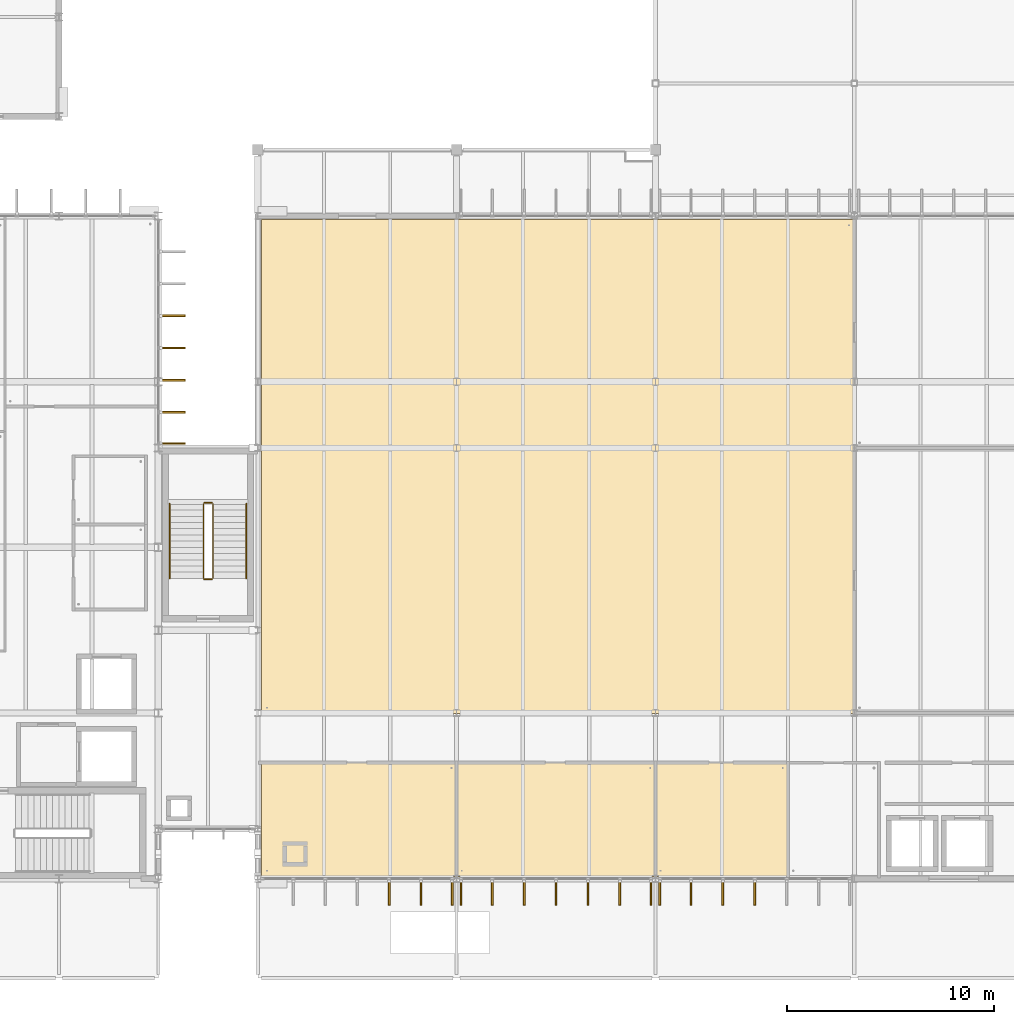
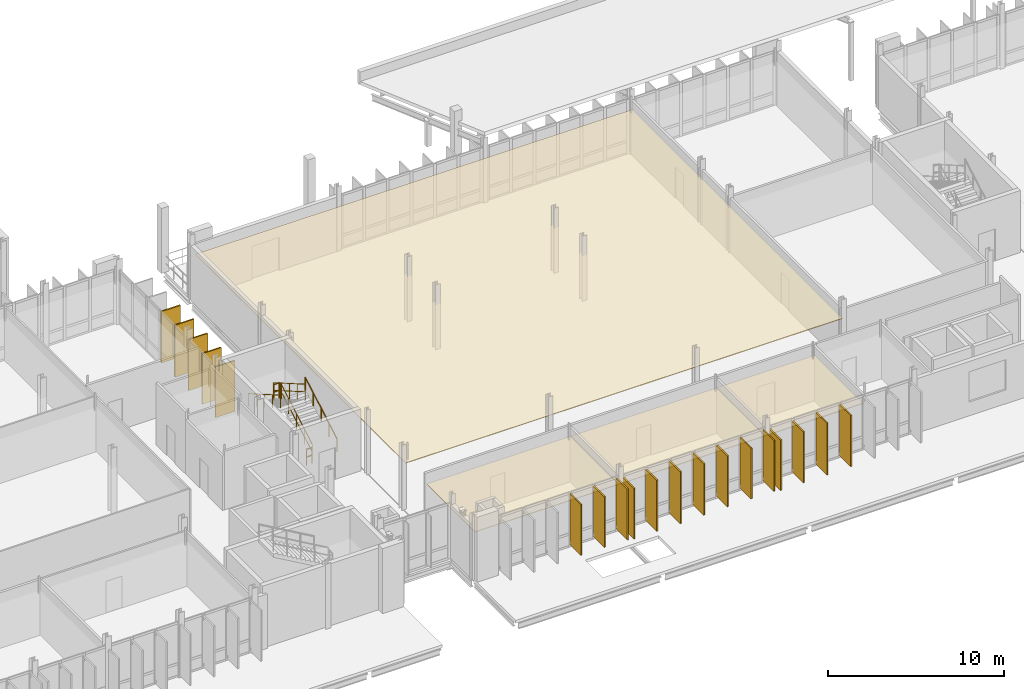
# One storey, part 99 of 107: 23 coverings, 6 railings.
"""IFC4 building model written with IfcOpenShell, lengths in metres."""

from ifc_helpers import new_model, si_unit, direction, frame, origin, origin_2d, place, context, subcontext, project, spatial, polyline, rectangle, circle, outline, extrude, material, layer, layer_set, type_object, element, save


model = new_model("IFC4")

# Units and contexts
model_context = context("Model", 3, precision=1e-05, world=origin(), true_north=direction((0.0, 1.0)))
body_context = subcontext(model_context, "Body", "Model", "MODEL_VIEW")
ifc_project = project(units=[si_unit("LENGTHUNIT", "METRE"), si_unit("AREAUNIT", "SQUARE_METRE"), si_unit("VOLUMEUNIT", "CUBIC_METRE"), si_unit("PLANEANGLEUNIT", "RADIAN"), si_unit("MASSUNIT", "GRAM", prefix="KILO")], contexts=[model_context])

# Site, building, storey
site_placement = place(None, origin())
site = spatial("IfcSite", under=ifc_project, at=site_placement, CompositionType="ELEMENT")
building_placement = place(site_placement, origin())
building = spatial("IfcBuilding", under=site, at=building_placement, Name="Dunescarp Central Library", CompositionType="ELEMENT")
storey_placement = place(building_placement, frame((0.0, 0.0, 5.10009765625)))
storey = spatial("IfcBuildingStorey", under=building, at=storey_placement, Name="L01", CompositionType="ELEMENT", Elevation=5.10009765625)

# Coverings
ifc_material_1 = material(Name="Perforated birch acoustic timber baffle", Category="wood")
ifc_layer_1 = layer(ifc_material_1, 0.050048828125)
ifc_layer_set_1 = layer_set([ifc_layer_1], Name="Perforated birch acoustic timber baffle")
covering_type_1 = type_object("IfcCoveringType", Name="ARC-COV-BAFFLE", PredefinedType="CEILING", material=ifc_layer_set_1)
covering_1_placement = place(storey_placement, frame((0.0, 0.0, 3.0498046875)))
element("IfcCovering", 1, at=covering_1_placement, inside=storey, type_object=covering_type_1, Name="L01 ceiling L01 Periodical Reading Alcove", PredefinedType="CEILING", context=body_context, shape_type="SweptSolid", body=[
    extrude(outline(polyline([(57.580078125, 4.919921875), (64.02001953125, 4.919921875), (64.02001953125, 10.419921875), (57.580078125, 10.419921875), (57.580078125, 4.919921875)])), origin(), (0.0, 0.0, 1.0), 0.050048828125),
])
covering_2_placement = place(storey_placement, frame((0.0, 0.0, 3.0498046875)))
element("IfcCovering", 2, at=covering_2_placement, inside=storey, type_object=covering_type_1, Name="L01 ceiling Atrium Floor Reading Court", PredefinedType="CEILING", context=body_context, shape_type="SweptSolid", body=[
    extrude(outline(polyline([(38.580078125, 12.780029296875), (67.219970703125, 12.780029296875), (67.219970703125, 36.6201171875), (38.580078125, 36.6201171875), (38.580078125, 12.780029296875)])), origin(), (0.0, 0.0, 1.0), 0.050048828125),
])
ifc_material_2 = material(Name="Mineral-fibre acoustic ceiling tile")
ifc_layer_2 = layer(ifc_material_2, 0.0400390625)
ifc_layer_set_2 = layer_set([ifc_layer_2], Name="Mineral-fibre acoustic ceiling tile")
covering_type_2 = type_object("IfcCoveringType", Name="ARC-COV-CEIL40", PredefinedType="CEILING", material=ifc_layer_set_2)
covering_3_placement = place(storey_placement, frame((0.0, 0.0, 3.0498046875)))
element("IfcCovering", 3, at=covering_3_placement, inside=storey, type_object=covering_type_2, Name="L01 ceiling L01 Group Study Room A", PredefinedType="CEILING", context=body_context, shape_type="SweptSolid", body=[
    extrude(outline(polyline([(38.580078125, 4.919921875), (48.02001953125, 4.919921875), (48.02001953125, 10.419921875), (38.580078125, 10.419921875), (38.580078125, 4.919921875)])), origin(), (0.0, 0.0, 1.0), 0.0400390625),
])
covering_4_placement = place(storey_placement, frame((0.0, 0.0, 3.0498046875)))
element("IfcCovering", 4, at=covering_4_placement, inside=storey, type_object=covering_type_2, Name="L01 ceiling L01 Group Study Room B", PredefinedType="CEILING", context=body_context, shape_type="SweptSolid", body=[
    extrude(outline(polyline([(47.97998046875, 4.919921875), (57.6201171875, 4.919921875), (57.6201171875, 10.419921875), (47.97998046875, 10.419921875), (47.97998046875, 4.919921875)])), origin(), (0.0, 0.0, 1.0), 0.0400390625),
])
ifc_material_3 = material(Name="Glass-fibre reinforced concrete GRC", Category="concrete")
ifc_layer_3 = layer(ifc_material_3, 0.090087890625)
ifc_layer_set_3 = layer_set([ifc_layer_3], Name="Glass-fibre reinforced concrete GRC")
covering_type_3 = type_object("IfcCoveringType", Name="ARC-COV-FIN1250", PredefinedType="CLADDING", material=ifc_layer_set_3)
covering_5_placement = place(storey_placement, frame((34.261962890625, 31.97509765625, 0.122802734375), z_axis=(0.0, 0.0, 1.0), x_axis=(1.0, 0.0, 0.0)))
element("IfcCovering", 5, at=covering_5_placement, inside=storey, type_object=covering_type_3, Name="L01 parametric vertical facade fin FIN-L01-0072", PredefinedType="CLADDING", context=body_context, shape_type="SweptSolid", body=[
    extrude(rectangle(XDim=1.25, YDim=0.090087890625, at=origin_2d()), origin(), (0.0, 0.0, 1.0), 3.56201171875),
])
covering_6_placement = place(storey_placement, frame((34.261962890625, 30.425048828125, 0.080078125), z_axis=(0.0, 0.0, 1.0), x_axis=(1.0, 0.0, 0.0)))
element("IfcCovering", 6, at=covering_6_placement, inside=storey, type_object=covering_type_3, Name="L01 parametric vertical facade fin FIN-L01-0073", PredefinedType="CLADDING", context=body_context, shape_type="SweptSolid", body=[
    extrude(rectangle(XDim=1.25, YDim=0.090087890625, at=origin_2d()), origin(), (0.0, 0.0, 1.0), 3.593994140625),
])
covering_7_placement = place(storey_placement, frame((34.261962890625, 28.875, 0.079833984375), z_axis=(0.0, 0.0, 1.0), x_axis=(1.0, 0.0, 0.0)))
element("IfcCovering", 7, at=covering_7_placement, inside=storey, type_object=covering_type_3, Name="L01 parametric vertical facade fin FIN-L01-0074", PredefinedType="CLADDING", context=body_context, shape_type="SweptSolid", body=[
    extrude(rectangle(XDim=1.25, YDim=0.090087890625, at=origin_2d()), origin(), (0.0, 0.0, 1.0), 3.5439453125),
])
covering_8_placement = place(storey_placement, frame((34.261962890625, 27.324951171875, 0.08056640625), z_axis=(0.0, 0.0, 1.0), x_axis=(1.0, 0.0, 0.0)))
element("IfcCovering", 8, at=covering_8_placement, inside=storey, type_object=covering_type_3, Name="L01 parametric vertical facade fin FIN-L01-0075", PredefinedType="CLADDING", context=body_context, shape_type="SweptSolid", body=[
    extrude(rectangle(XDim=1.25, YDim=0.090087890625, at=origin_2d()), origin(), (0.0, 0.0, 1.0), 3.510986328125),
])
covering_9_placement = place(storey_placement, frame((34.261962890625, 25.81494140625, 0.07958984375), z_axis=(0.0, 0.0, 1.0), x_axis=(1.0, 0.0, 0.0)))
element("IfcCovering", 9, at=covering_9_placement, inside=storey, type_object=covering_type_3, Name="L01 parametric vertical facade fin FIN-L01-0076", PredefinedType="CLADDING", context=body_context, shape_type="SweptSolid", body=[
    extrude(rectangle(XDim=1.25, YDim=0.090087890625, at=origin_2d()), origin(), (0.0, 0.0, 1.0), 3.507080078125),
])
covering_10_placement = place(storey_placement, frame((47.784912109375, 4.137939453125, 0.166748046875), z_axis=(0.0, 0.0, 1.0), x_axis=(0.0, -1.0, 0.0)))
element("IfcCovering", 10, at=covering_10_placement, inside=storey, type_object=covering_type_3, Name="L01 parametric vertical facade fin FIN-L01-0338", PredefinedType="CLADDING", context=body_context, shape_type="SweptSolid", body=[
    extrude(rectangle(XDim=1.25, YDim=0.090087890625, at=origin_2d()), origin(), (0.0, 0.0, 1.0), 3.51806640625),
])
covering_11_placement = place(storey_placement, frame((46.282958984375, 4.137939453125, 0.180419921875), z_axis=(0.0, 0.0, 1.0), x_axis=(0.0, -1.0, 0.0)))
element("IfcCovering", 11, at=covering_11_placement, inside=storey, type_object=covering_type_3, Name="L01 parametric vertical facade fin FIN-L01-0339", PredefinedType="CLADDING", context=body_context, shape_type="SweptSolid", body=[
    extrude(rectangle(XDim=1.25, YDim=0.090087890625, at=origin_2d()), origin(), (0.0, 0.0, 1.0), 3.5048828125),
])
covering_12_placement = place(storey_placement, frame((44.741943359375, 4.137939453125, 0.163330078125), z_axis=(0.0, 0.0, 1.0), x_axis=(0.0, -1.0, 0.0)))
element("IfcCovering", 12, at=covering_12_placement, inside=storey, type_object=covering_type_3, Name="L01 parametric vertical facade fin FIN-L01-0340", PredefinedType="CLADDING", context=body_context, shape_type="SweptSolid", body=[
    extrude(rectangle(XDim=1.25, YDim=0.090087890625, at=origin_2d()), origin(), (0.0, 0.0, 1.0), 3.52099609375),
])
covering_13_placement = place(storey_placement, frame((57.385009765625, 4.137939453125, 0.166748046875), z_axis=(0.0, 0.0, 1.0), x_axis=(0.0, -1.0, 0.0)))
element("IfcCovering", 13, at=covering_13_placement, inside=storey, type_object=covering_type_3, Name="L01 parametric vertical facade fin FIN-L01-0344", PredefinedType="CLADDING", context=body_context, shape_type="SweptSolid", body=[
    extrude(rectangle(XDim=1.25, YDim=0.090087890625, at=origin_2d()), origin(), (0.0, 0.0, 1.0), 3.51806640625),
])
covering_14_placement = place(storey_placement, frame((55.883056640625, 4.137939453125, 0.180419921875), z_axis=(0.0, 0.0, 1.0), x_axis=(0.0, -1.0, 0.0)))
element("IfcCovering", 14, at=covering_14_placement, inside=storey, type_object=covering_type_3, Name="L01 parametric vertical facade fin FIN-L01-0345", PredefinedType="CLADDING", context=body_context, shape_type="SweptSolid", body=[
    extrude(rectangle(XDim=1.25, YDim=0.090087890625, at=origin_2d()), origin(), (0.0, 0.0, 1.0), 3.5048828125),
])
covering_15_placement = place(storey_placement, frame((54.342041015625, 4.137939453125, 0.163330078125), z_axis=(0.0, 0.0, 1.0), x_axis=(0.0, -1.0, 0.0)))
element("IfcCovering", 15, at=covering_15_placement, inside=storey, type_object=covering_type_3, Name="L01 parametric vertical facade fin FIN-L01-0346", PredefinedType="CLADDING", context=body_context, shape_type="SweptSolid", body=[
    extrude(rectangle(XDim=1.25, YDim=0.090087890625, at=origin_2d()), origin(), (0.0, 0.0, 1.0), 3.52099609375),
])
covering_16_placement = place(storey_placement, frame((52.800048828125, 4.137939453125, 0.122802734375), z_axis=(0.0, 0.0, 1.0), x_axis=(0.0, -1.0, 0.0)))
element("IfcCovering", 16, at=covering_16_placement, inside=storey, type_object=covering_type_3, Name="L01 parametric vertical facade fin FIN-L01-0347", PredefinedType="CLADDING", context=body_context, shape_type="SweptSolid", body=[
    extrude(rectangle(XDim=1.25, YDim=0.090087890625, at=origin_2d()), origin(), (0.0, 0.0, 1.0), 3.56201171875),
])
covering_17_placement = place(storey_placement, frame((51.258056640625, 4.137939453125, 0.080078125), z_axis=(0.0, 0.0, 1.0), x_axis=(0.0, -1.0, 0.0)))
element("IfcCovering", 17, at=covering_17_placement, inside=storey, type_object=covering_type_3, Name="L01 parametric vertical facade fin FIN-L01-0348", PredefinedType="CLADDING", context=body_context, shape_type="SweptSolid", body=[
    extrude(rectangle(XDim=1.25, YDim=0.090087890625, at=origin_2d()), origin(), (0.0, 0.0, 1.0), 3.593994140625),
])
covering_18_placement = place(storey_placement, frame((49.717041015625, 4.137939453125, 0.079833984375), z_axis=(0.0, 0.0, 1.0), x_axis=(0.0, -1.0, 0.0)))
element("IfcCovering", 18, at=covering_18_placement, inside=storey, type_object=covering_type_3, Name="L01 parametric vertical facade fin FIN-L01-0349", PredefinedType="CLADDING", context=body_context, shape_type="SweptSolid", body=[
    extrude(rectangle(XDim=1.25, YDim=0.090087890625, at=origin_2d()), origin(), (0.0, 0.0, 1.0), 3.5439453125),
])
covering_19_placement = place(storey_placement, frame((48.215087890625, 4.137939453125, 0.08056640625), z_axis=(0.0, 0.0, 1.0), x_axis=(0.0, -1.0, 0.0)))
element("IfcCovering", 19, at=covering_19_placement, inside=storey, type_object=covering_type_3, Name="L01 parametric vertical facade fin FIN-L01-0350", PredefinedType="CLADDING", context=body_context, shape_type="SweptSolid", body=[
    extrude(rectangle(XDim=1.25, YDim=0.090087890625, at=origin_2d()), origin(), (0.0, 0.0, 1.0), 3.510986328125),
])
covering_20_placement = place(storey_placement, frame((62.39990234375, 4.137939453125, 0.122802734375), z_axis=(0.0, 0.0, 1.0), x_axis=(0.0, -1.0, 0.0)))
element("IfcCovering", 20, at=covering_20_placement, inside=storey, type_object=covering_type_3, Name="L01 parametric vertical facade fin FIN-L01-0354", PredefinedType="CLADDING", context=body_context, shape_type="SweptSolid", body=[
    extrude(rectangle(XDim=1.25, YDim=0.090087890625, at=origin_2d()), origin(), (0.0, 0.0, 1.0), 3.56201171875),
])
covering_21_placement = place(storey_placement, frame((60.85791015625, 4.137939453125, 0.080078125), z_axis=(0.0, 0.0, 1.0), x_axis=(0.0, -1.0, 0.0)))
element("IfcCovering", 21, at=covering_21_placement, inside=storey, type_object=covering_type_3, Name="L01 parametric vertical facade fin FIN-L01-0355", PredefinedType="CLADDING", context=body_context, shape_type="SweptSolid", body=[
    extrude(rectangle(XDim=1.25, YDim=0.090087890625, at=origin_2d()), origin(), (0.0, 0.0, 1.0), 3.593994140625),
])
covering_22_placement = place(storey_placement, frame((59.31689453125, 4.137939453125, 0.079833984375), z_axis=(0.0, 0.0, 1.0), x_axis=(0.0, -1.0, 0.0)))
element("IfcCovering", 22, at=covering_22_placement, inside=storey, type_object=covering_type_3, Name="L01 parametric vertical facade fin FIN-L01-0356", PredefinedType="CLADDING", context=body_context, shape_type="SweptSolid", body=[
    extrude(rectangle(XDim=1.25, YDim=0.090087890625, at=origin_2d()), origin(), (0.0, 0.0, 1.0), 3.5439453125),
])
covering_23_placement = place(storey_placement, frame((57.81494140625, 4.137939453125, 0.08056640625), z_axis=(0.0, 0.0, 1.0), x_axis=(0.0, -1.0, 0.0)))
element("IfcCovering", 23, at=covering_23_placement, inside=storey, type_object=covering_type_3, Name="L01 parametric vertical facade fin FIN-L01-0357", PredefinedType="CLADDING", context=body_context, shape_type="SweptSolid", body=[
    extrude(rectangle(XDim=1.25, YDim=0.090087890625, at=origin_2d()), origin(), (0.0, 0.0, 1.0), 3.510986328125),
])

# Railings
ifc_material_4 = material(Name="Stainless steel Grade 316L", Category="steel")
railing_type_1 = type_object("IfcRailingType", Name="ARC-RL-GUARD", PredefinedType="GUARDRAIL", material=ifc_material_4)
railing_1_placement = place(storey_placement, frame((36.22998046875, 19.300048828125, 0.173095703125)))
element("IfcRailing", 24, at=railing_1_placement, inside=storey, type_object=railing_type_1, Name="L01 ST-2 stair guard 1", PredefinedType="GUARDRAIL", context=body_context, shape_type="SweptSolid", body=[
    extrude(circle(Radius=0.02392578125, at=origin_2d()), frame((0.0, 0.0, 1.076171875), z_axis=(0.0, 0.866178740119, 0.499734319579), x_axis=(-1.0, 0.0, 0.0)), (0.0, 0.0, 1.0), 4.156005859375),
    extrude(circle(Radius=0.02392578125, at=origin_2d()), frame((0.0, 0.0, 0.550048828125), z_axis=(0.0, 0.866178740119, 0.499734319579), x_axis=(-1.0, 0.0, 0.0)), (0.0, 0.0, 1.0), 4.156005859375),
    extrude(circle(Radius=0.02099609375, at=origin_2d()), origin(), (0.0, 0.0, 1.0), 1.052001953125),
    extrude(circle(Radius=0.02099609375, at=origin_2d()), frame((0.0, 0.89990234375, 0.519287109375)), (0.0, 0.0, 1.0), 1.052001953125),
    extrude(circle(Radius=0.02099609375, at=origin_2d()), frame((0.0, 1.7998046875, 1.03857421875)), (0.0, 0.0, 1.0), 1.052001953125),
    extrude(circle(Radius=0.02099609375, at=origin_2d()), frame((0.0, 2.699951171875, 1.5576171875)), (0.0, 0.0, 1.0), 1.052001953125),
    extrude(circle(Radius=0.02099609375, at=origin_2d()), frame((0.0, 3.599853515625, 2.076904296875)), (0.0, 0.0, 1.0), 1.052001953125),
])
railing_2_placement = place(storey_placement, frame((36.179931640625, 22.949951171875, 2.25)))
element("IfcRailing", 25, at=railing_2_placement, inside=storey, type_object=railing_type_1, Name="L01 ST-2 stair guard 2", PredefinedType="GUARDRAIL", context=body_context, shape_type="SweptSolid", body=[
    extrude(circle(Radius=0.02392578125, at=origin_2d()), frame((0.0, 0.0, 1.076171875), z_axis=(-1.0, 0.0, 0.0), x_axis=(0.0, -1.0, 0.0)), (0.0, 0.0, 1.0), 0.35986328125),
    extrude(circle(Radius=0.02392578125, at=origin_2d()), frame((0.0, 0.0, 0.550048828125), z_axis=(-1.0, 0.0, 0.0), x_axis=(0.0, -1.0, 0.0)), (0.0, 0.0, 1.0), 0.35986328125),
    extrude(circle(Radius=0.02099609375, at=origin_2d()), origin(), (0.0, 0.0, 1.0), 1.052001953125),
    extrude(circle(Radius=0.02099609375, at=origin_2d()), frame((-0.35986328125, 0.0, 0.0)), (0.0, 0.0, 1.0), 1.052001953125),
])
railing_3_placement = place(storey_placement, frame((35.77001953125, 22.89990234375, 2.423095703125)))
element("IfcRailing", 26, at=railing_3_placement, inside=storey, type_object=railing_type_1, Name="L01 ST-2 stair guard 3", PredefinedType="GUARDRAIL", context=body_context, shape_type="SweptSolid", body=[
    extrude(circle(Radius=0.02392578125, at=origin_2d()), frame((0.0, 0.0, 1.076171875), z_axis=(0.0, -0.866178740119, 0.499734319579), x_axis=(1.0, 0.0, 0.0)), (0.0, 0.0, 1.0), 4.156005859375),
    extrude(circle(Radius=0.02392578125, at=origin_2d()), frame((0.0, 0.0, 0.550048828125), z_axis=(0.0, -0.866178740119, 0.499734319579), x_axis=(1.0, 0.0, 0.0)), (0.0, 0.0, 1.0), 4.156005859375),
    extrude(circle(Radius=0.02099609375, at=origin_2d()), origin(), (0.0, 0.0, 1.0), 1.052001953125),
    extrude(circle(Radius=0.02099609375, at=origin_2d()), frame((0.0, -0.89990234375, 0.519287109375)), (0.0, 0.0, 1.0), 1.052001953125),
    extrude(circle(Radius=0.02099609375, at=origin_2d()), frame((0.0, -1.7998046875, 1.03857421875)), (0.0, 0.0, 1.0), 1.052001953125),
    extrude(circle(Radius=0.02099609375, at=origin_2d()), frame((0.0, -2.699951171875, 1.5576171875)), (0.0, 0.0, 1.0), 1.052001953125),
    extrude(circle(Radius=0.02099609375, at=origin_2d()), frame((0.0, -3.599853515625, 2.076904296875)), (0.0, 0.0, 1.0), 1.052001953125),
])
railing_4_placement = place(storey_placement, frame((36.179931640625, 19.25, 0.0)))
element("IfcRailing", 27, at=railing_4_placement, inside=storey, type_object=railing_type_1, Name="L01 ST-2 stair guard 4", PredefinedType="GUARDRAIL", context=body_context, shape_type="SweptSolid", body=[
    extrude(circle(Radius=0.02392578125, at=origin_2d()), frame((0.0, 0.0, 1.076171875), z_axis=(-1.0, 0.0, 0.0), x_axis=(0.0, -1.0, 0.0)), (0.0, 0.0, 1.0), 0.35986328125),
    extrude(circle(Radius=0.02392578125, at=origin_2d()), frame((0.0, 0.0, 0.550048828125), z_axis=(-1.0, 0.0, 0.0), x_axis=(0.0, -1.0, 0.0)), (0.0, 0.0, 1.0), 0.35986328125),
    extrude(circle(Radius=0.02099609375, at=origin_2d()), origin(), (0.0, 0.0, 1.0), 1.052001953125),
    extrude(circle(Radius=0.02099609375, at=origin_2d()), frame((-0.35986328125, 0.0, 0.0)), (0.0, 0.0, 1.0), 1.052001953125),
])
railing_type_2 = type_object("IfcRailingType", Name="ARC-RL-HAND", PredefinedType="HANDRAIL", material=ifc_material_4)
railing_5_placement = place(storey_placement, frame((37.85009765625, 19.300048828125, 0.173095703125)))
element("IfcRailing", 28, at=railing_5_placement, inside=storey, type_object=railing_type_2, Name="L01 ST-2 stair handrail 1", PredefinedType="HANDRAIL", context=body_context, shape_type="SweptSolid", body=[
    extrude(circle(Radius=0.02392578125, at=origin_2d()), frame((0.0, 0.0, 0.8857421875), z_axis=(0.0, 0.866178740119, 0.499734319579), x_axis=(-1.0, 0.0, 0.0)), (0.0, 0.0, 1.0), 4.156005859375),
    extrude(circle(Radius=0.02099609375, at=origin_2d()), origin(), (0.0, 0.0, 1.0), 0.86181640625),
    extrude(circle(Radius=0.02099609375, at=origin_2d()), frame((0.0, 0.89990234375, 0.519287109375)), (0.0, 0.0, 1.0), 0.86181640625),
    extrude(circle(Radius=0.02099609375, at=origin_2d()), frame((0.0, 1.7998046875, 1.03857421875)), (0.0, 0.0, 1.0), 0.86181640625),
    extrude(circle(Radius=0.02099609375, at=origin_2d()), frame((0.0, 2.699951171875, 1.5576171875)), (0.0, 0.0, 1.0), 0.86181640625),
    extrude(circle(Radius=0.02099609375, at=origin_2d()), frame((0.0, 3.599853515625, 2.076904296875)), (0.0, 0.0, 1.0), 0.86181640625),
])
railing_6_placement = place(storey_placement, frame((34.14990234375, 22.89990234375, 2.423095703125)))
element("IfcRailing", 29, at=railing_6_placement, inside=storey, type_object=railing_type_2, Name="L01 ST-2 stair handrail 2", PredefinedType="HANDRAIL", context=body_context, shape_type="SweptSolid", body=[
    extrude(circle(Radius=0.02392578125, at=origin_2d()), frame((0.0, 0.0, 0.8857421875), z_axis=(0.0, -0.866178740119, 0.499734319579), x_axis=(1.0, 0.0, 0.0)), (0.0, 0.0, 1.0), 4.156005859375),
    extrude(circle(Radius=0.02099609375, at=origin_2d()), origin(), (0.0, 0.0, 1.0), 0.86181640625),
    extrude(circle(Radius=0.02099609375, at=origin_2d()), frame((0.0, -0.89990234375, 0.519287109375)), (0.0, 0.0, 1.0), 0.86181640625),
    extrude(circle(Radius=0.02099609375, at=origin_2d()), frame((0.0, -1.7998046875, 1.03857421875)), (0.0, 0.0, 1.0), 0.86181640625),
    extrude(circle(Radius=0.02099609375, at=origin_2d()), frame((0.0, -2.699951171875, 1.5576171875)), (0.0, 0.0, 1.0), 0.86181640625),
    extrude(circle(Radius=0.02099609375, at=origin_2d()), frame((0.0, -3.599853515625, 2.076904296875)), (0.0, 0.0, 1.0), 0.86181640625),
])

save(model, "model.ifc")
